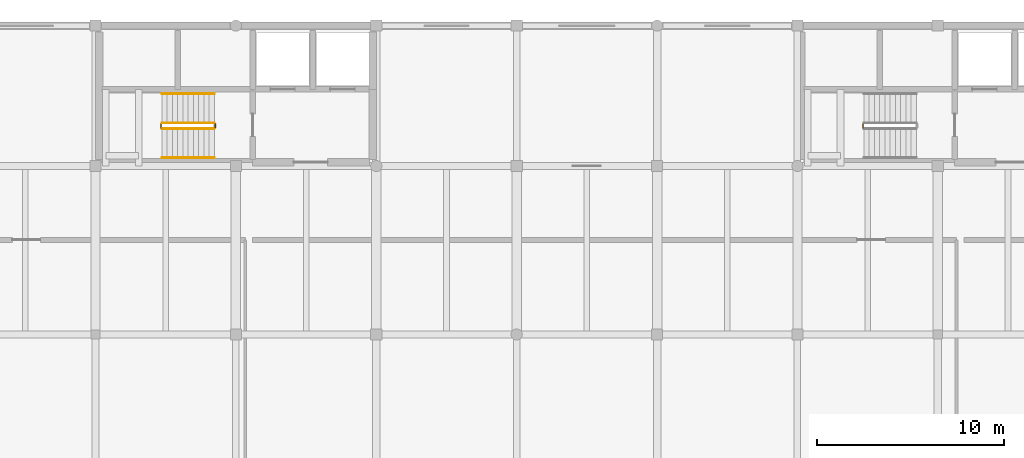
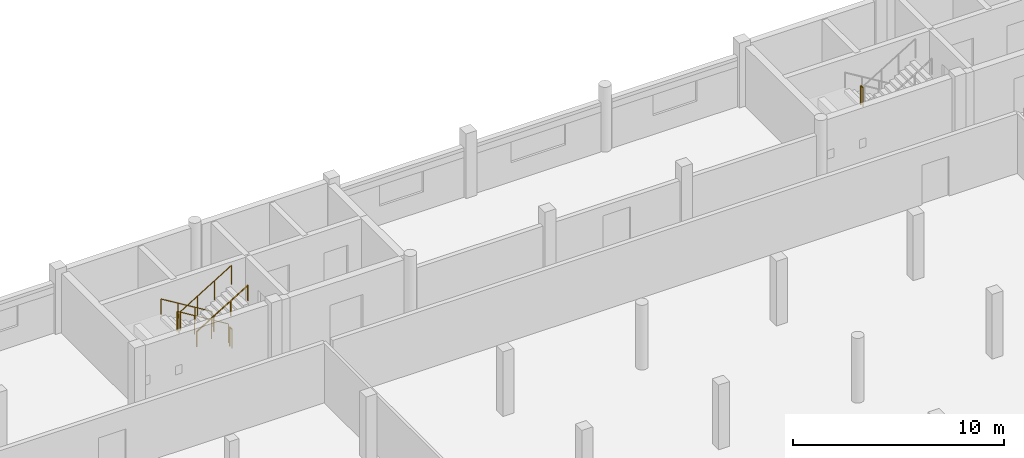
# One storey, part 38 of 43: 7 railings.
"""IFC4 building model written with IfcOpenShell, lengths in metres."""

from ifc_helpers import new_model, si_unit, direction, frame, origin, origin_2d, place, context, subcontext, project, spatial, circle, extrude, material, type_object, element, save


model = new_model("IFC4")

# Units and contexts
model_context = context("Model", 3, precision=1e-05, world=origin(), true_north=direction((0.0, 1.0)))
body_context = subcontext(model_context, "Body", "Model", "MODEL_VIEW")
ifc_project = project(units=[si_unit("LENGTHUNIT", "METRE"), si_unit("AREAUNIT", "SQUARE_METRE"), si_unit("VOLUMEUNIT", "CUBIC_METRE"), si_unit("PLANEANGLEUNIT", "RADIAN"), si_unit("MASSUNIT", "GRAM", prefix="KILO")], contexts=[model_context])

# Site, building, storey
site_placement = place(None, origin())
site = spatial("IfcSite", under=ifc_project, at=site_placement, CompositionType="ELEMENT")
building_placement = place(site_placement, origin())
building = spatial("IfcBuilding", under=site, at=building_placement, Name="Dalvernix Boulevard General Hospital", CompositionType="ELEMENT")
storey_placement = place(building_placement, frame((0.0, 0.0, 14.10009765625)))
storey = spatial("IfcBuildingStorey", under=building, at=storey_placement, Name="L03", CompositionType="ELEMENT", Elevation=14.10009765625)

# Railings
ifc_material_1 = material(Name="Brushed stainless steel balustrade", Category="steel")
railing_type_1 = type_object("IfcRailingType", Name="RL-GR-INT1", PredefinedType="BALUSTRADE", material=ifc_material_1)
railing_1_placement = place(storey_placement, frame((66.35009765625, 111.800048828125, 0.17041015625)))
element("IfcRailing", 1, at=railing_1_placement, inside=storey, type_object=railing_type_1, Name="L03 ST-03 stair guard 1", PredefinedType="BALUSTRADE", context=body_context, shape_type="SweptSolid", body=[
    extrude(circle(Radius=0.02392578125, at=origin_2d()), frame((0.0, 0.0, 1.09619140625), z_axis=(-0.854169791009, 0.0, 0.51999420009), x_axis=(0.0, -1.0, 0.0)), (0.0, 0.0, 1.0), 3.278076171875),
    extrude(circle(Radius=0.02099609375, at=origin_2d()), origin(), (0.0, 0.0, 1.0), 1.072021484375),
    extrude(circle(Radius=0.02099609375, at=origin_2d()), frame((-0.933349609375, 0.0, 0.568115234375)), (0.0, 0.0, 1.0), 1.072021484375),
    extrude(circle(Radius=0.02099609375, at=origin_2d()), frame((-1.86669921875, 0.0, 1.136474609375)), (0.0, 0.0, 1.0), 1.072021484375),
    extrude(circle(Radius=0.02099609375, at=origin_2d()), frame((-2.800048828125, 0.0, 1.70458984375)), (0.0, 0.0, 1.0), 1.072021484375),
])
railing_2_placement = place(storey_placement, frame((63.5, 111.75, 1.875)))
element("IfcRailing", 2, at=railing_2_placement, inside=storey, type_object=railing_type_1, Name="L03 ST-03 stair guard 2", PredefinedType="BALUSTRADE", context=body_context, shape_type="SweptSolid", body=[
    extrude(circle(Radius=0.02392578125, at=origin_2d()), frame((0.0, 0.0, 1.09619140625), z_axis=(0.0, -1.0, 0.0), x_axis=(1.0, 0.0, 0.0)), (0.0, 0.0, 1.0), 0.199951171875),
    extrude(circle(Radius=0.02099609375, at=origin_2d()), origin(), (0.0, 0.0, 1.0), 1.072021484375),
    extrude(circle(Radius=0.02099609375, at=origin_2d()), frame((0.0, -0.199951171875, 0.0)), (0.0, 0.0, 1.0), 1.072021484375),
])
railing_3_placement = place(storey_placement, frame((63.550048828125, 111.5, 2.04541015625)))
element("IfcRailing", 3, at=railing_3_placement, inside=storey, type_object=railing_type_1, Name="L03 ST-03 stair guard 3", PredefinedType="BALUSTRADE", context=body_context, shape_type="SweptSolid", body=[
    extrude(circle(Radius=0.02392578125, at=origin_2d()), frame((0.0, 0.0, 1.09619140625), z_axis=(0.854169791009, 0.0, 0.51999420009), x_axis=(0.0, 1.0, 0.0)), (0.0, 0.0, 1.0), 3.278076171875),
    extrude(circle(Radius=0.02099609375, at=origin_2d()), origin(), (0.0, 0.0, 1.0), 1.072021484375),
    extrude(circle(Radius=0.02099609375, at=origin_2d()), frame((0.933349609375, 0.0, 0.568115234375)), (0.0, 0.0, 1.0), 1.072021484375),
    extrude(circle(Radius=0.02099609375, at=origin_2d()), frame((1.86669921875, 0.0, 1.136474609375)), (0.0, 0.0, 1.0), 1.072021484375),
    extrude(circle(Radius=0.02099609375, at=origin_2d()), frame((2.800048828125, 0.0, 1.70458984375)), (0.0, 0.0, 1.0), 1.072021484375),
])
for number, where, name in (
    (4, (66.39990234375, 111.75, 0.0), "L03 ST-03 stair guard 4"),
    (5, (101.0, 111.75, 1.875), "L03 ST-04 stair guard 2"),
):
    element("IfcRailing", number, at=place(storey_placement, frame(where)), inside=storey, type_object=railing_type_1, Name=name, PredefinedType="BALUSTRADE", context=body_context, shape_type="SweptSolid", body=[
        extrude(circle(Radius=0.02392578125, at=origin_2d()), frame((0.0, 0.0, 1.09619140625), z_axis=(0.0, -1.0, 0.0), x_axis=(1.0, 0.0, 0.0)), (0.0, 0.0, 1.0), 0.199951171875),
        extrude(circle(Radius=0.02099609375, at=origin_2d()), origin(), (0.0, 0.0, 1.0), 1.072021484375),
        extrude(circle(Radius=0.02099609375, at=origin_2d()), frame((0.0, -0.199951171875, 0.0)), (0.0, 0.0, 1.0), 1.072021484375),
    ])
ifc_material_2 = material(Name="Brushed stainless steel wall handrail", Category="steel")
railing_type_2 = type_object("IfcRailingType", Name="RL-HR-INT1", PredefinedType="HANDRAIL", material=ifc_material_2)
railing_4_placement = place(storey_placement, frame((66.35009765625, 113.35009765625, 0.17041015625)))
element("IfcRailing", 6, at=railing_4_placement, inside=storey, type_object=railing_type_2, Name="L03 ST-03 stair handrail 1", PredefinedType="HANDRAIL", context=body_context, shape_type="SweptSolid", body=[
    extrude(circle(Radius=0.02392578125, at=origin_2d()), frame((0.0, 0.0, 0.8759765625), z_axis=(-0.854169791009, 0.0, 0.51999420009), x_axis=(0.0, -1.0, 0.0)), (0.0, 0.0, 1.0), 3.278076171875),
    extrude(circle(Radius=0.02099609375, at=origin_2d()), origin(), (0.0, 0.0, 1.0), 0.851806640625),
    extrude(circle(Radius=0.02099609375, at=origin_2d()), frame((-0.933349609375, 0.0, 0.568115234375)), (0.0, 0.0, 1.0), 0.851806640625),
    extrude(circle(Radius=0.02099609375, at=origin_2d()), frame((-1.86669921875, 0.0, 1.136474609375)), (0.0, 0.0, 1.0), 0.851806640625),
    extrude(circle(Radius=0.02099609375, at=origin_2d()), frame((-2.800048828125, 0.0, 1.70458984375)), (0.0, 0.0, 1.0), 0.851806640625),
])
railing_5_placement = place(storey_placement, frame((63.550048828125, 109.949951171875, 2.04541015625)))
element("IfcRailing", 7, at=railing_5_placement, inside=storey, type_object=railing_type_2, Name="L03 ST-03 stair handrail 2", PredefinedType="HANDRAIL", context=body_context, shape_type="SweptSolid", body=[
    extrude(circle(Radius=0.02392578125, at=origin_2d()), frame((0.0, 0.0, 0.8759765625), z_axis=(0.854169791009, 0.0, 0.51999420009), x_axis=(0.0, 1.0, 0.0)), (0.0, 0.0, 1.0), 3.278076171875),
    extrude(circle(Radius=0.02099609375, at=origin_2d()), origin(), (0.0, 0.0, 1.0), 0.851806640625),
    extrude(circle(Radius=0.02099609375, at=origin_2d()), frame((0.933349609375, 0.0, 0.568115234375)), (0.0, 0.0, 1.0), 0.851806640625),
    extrude(circle(Radius=0.02099609375, at=origin_2d()), frame((1.86669921875, 0.0, 1.136474609375)), (0.0, 0.0, 1.0), 0.851806640625),
    extrude(circle(Radius=0.02099609375, at=origin_2d()), frame((2.800048828125, 0.0, 1.70458984375)), (0.0, 0.0, 1.0), 0.851806640625),
])

save(model, "model.ifc")
